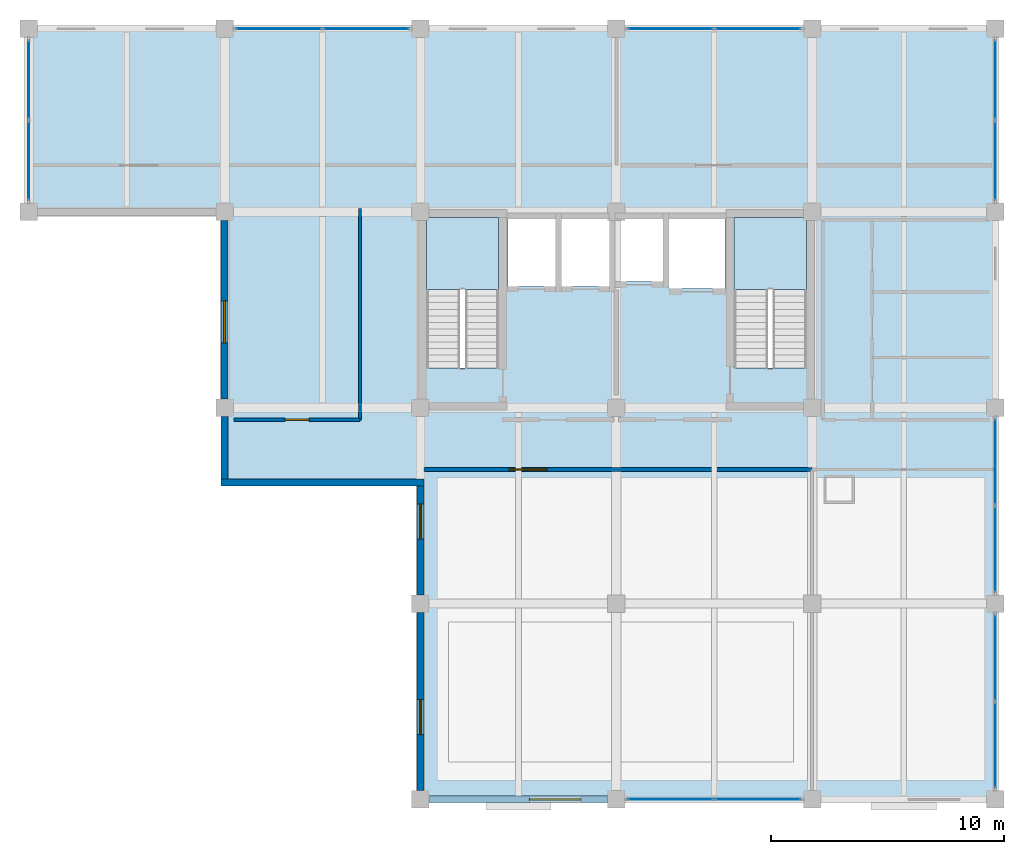
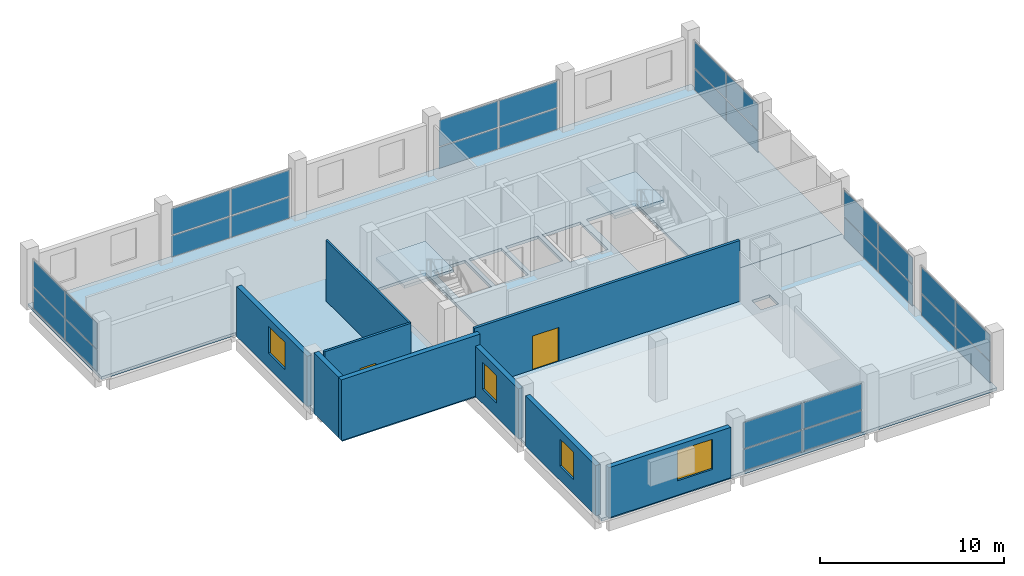
# One storey, part 6 of 9: 28 plates, 9 walls, 4 slabs, 4 windows, 2 doors, 6 openings, 9 elements without a shape of their own.
"""IFC4 building model written with IfcOpenShell, lengths in metres."""

from ifc_helpers import new_model, si_unit, direction, frame, frame_2d, origin, origin_2d, place, context, subcontext, project, spatial, polyline, rectangle, outline, extrude, material, layer, layer_set, type_object, element, fill, aggregate, save


model = new_model("IFC4")

# Units and contexts
model_context = context("Model", 3, precision=1e-05, world=origin(), true_north=direction((0.0, 1.0)))
body_context = subcontext(model_context, "Body", "Model", "MODEL_VIEW")
ifc_project = project(units=[si_unit("LENGTHUNIT", "METRE"), si_unit("AREAUNIT", "SQUARE_METRE"), si_unit("VOLUMEUNIT", "CUBIC_METRE"), si_unit("PLANEANGLEUNIT", "RADIAN"), si_unit("MASSUNIT", "GRAM", prefix="KILO")], contexts=[model_context])

# Site, building, storey
site_placement = place(None, origin())
site = spatial("IfcSite", under=ifc_project, at=site_placement, CompositionType="ELEMENT")
building_placement = place(site_placement, origin())
building = spatial("IfcBuilding", under=site, at=building_placement, Name="Brinegate Botanical Conservatory", CompositionType="ELEMENT")
storey_placement = place(building_placement, frame((0.0, 0.0, 48.60009765625)))
storey = spatial("IfcBuildingStorey", under=building, at=storey_placement, Name="L12", CompositionType="ELEMENT", Elevation=48.60009765625)

# Curtain wall, plates
ifc_material_1 = material(Name="Thermally broken anodised aluminium AW-6063-T6", Category="aluminium")
curtain_wall_type = type_object("IfcCurtainWallType", Name="CW_CW-TW1", PredefinedType="USERDEFINED", material=ifc_material_1)
curtain_wall_1_placement = place(storey_placement, origin())
curtain_wall_1 = element("IfcCurtainWall", 1, at=curtain_wall_1_placement, inside=storey, type_object=curtain_wall_type, Name="Research lab north curtain wall L12.2", ObjectType="FACTORY CURTAIN WALL", PredefinedType="USERDEFINED")
ifc_material_2 = material(Name="Double-silver Low-E laminated safety glass", Category="glass")
ifc_layer_1 = layer(ifc_material_2, 0.035888671875, Name="Double-silver Low-E laminated safety glass", Category="glass")
ifc_layer_set_1 = layer_set([ifc_layer_1], Name="Double-silver Low-E laminated safety glass")
plate_type = type_object("IfcPlateType", Name="Plate_PN-36", PredefinedType="CURTAIN_PANEL", material=ifc_layer_set_1)
plate_1_placement = place(storey_placement, frame((132.72509765625, 111.449951171875, 0.06982421875), z_axis=(0.0, 0.0, 1.0), x_axis=(1.0, 0.0, 0.0)))
plate_1 = element("IfcPlate", 2, at=plate_1_placement, type_object=plate_type, Name="CW-TW1 panel 1.1", PredefinedType="CURTAIN_PANEL", context=body_context, shape_type="SweptSolid", body=[
    extrude(rectangle(XDim=3.679931640625, YDim=0.035888671875, at=origin_2d()), origin(), (0.0, 0.0, 1.0), 1.39404296875),
])
plate_2_placement = place(storey_placement, frame((132.72509765625, 111.449951171875, 1.533935546875), z_axis=(0.0, 0.0, 1.0), x_axis=(1.0, 0.0, 0.0)))
plate_2 = element("IfcPlate", 3, at=plate_2_placement, type_object=plate_type, Name="CW-TW1 panel 1.2", PredefinedType="CURTAIN_PANEL", context=body_context, shape_type="SweptSolid", body=[
    extrude(rectangle(XDim=3.679931640625, YDim=0.035888671875, at=origin_2d()), origin(), (0.0, 0.0, 1.0), 1.72607421875),
])
plate_3_placement = place(storey_placement, frame((136.47509765625, 111.449951171875, 0.06982421875), z_axis=(0.0, 0.0, 1.0), x_axis=(1.0, 0.0, 0.0)))
plate_3 = element("IfcPlate", 4, at=plate_3_placement, type_object=plate_type, Name="CW-TW1 panel 2.1", PredefinedType="CURTAIN_PANEL", context=body_context, shape_type="SweptSolid", body=[
    extrude(rectangle(XDim=3.679931640625, YDim=0.035888671875, at=origin_2d()), origin(), (0.0, 0.0, 1.0), 1.39404296875),
])
plate_4_placement = place(storey_placement, frame((136.47509765625, 111.449951171875, 1.533935546875), z_axis=(0.0, 0.0, 1.0), x_axis=(1.0, 0.0, 0.0)))
plate_4 = element("IfcPlate", 5, at=plate_4_placement, type_object=plate_type, Name="CW-TW1 panel 2.2", PredefinedType="CURTAIN_PANEL", context=body_context, shape_type="SweptSolid", body=[
    extrude(rectangle(XDim=3.679931640625, YDim=0.035888671875, at=origin_2d()), origin(), (0.0, 0.0, 1.0), 1.72607421875),
])
aggregate(curtain_wall_1, [plate_1, plate_2, plate_3, plate_4])

curtain_wall_2_placement = place(storey_placement, origin())
curtain_wall_2 = element("IfcCurtainWall", 6, at=curtain_wall_2_placement, inside=storey, type_object=curtain_wall_type, Name="Research lab north curtain wall L12.4", ObjectType="FACTORY CURTAIN WALL", PredefinedType="USERDEFINED")
plate_5_placement = place(storey_placement, frame((149.52490234375, 111.449951171875, 0.06982421875), z_axis=(0.0, 0.0, 1.0), x_axis=(1.0, 0.0, 0.0)))
plate_5 = element("IfcPlate", 7, at=plate_5_placement, type_object=plate_type, Name="CW-TW1 panel 1.1", PredefinedType="CURTAIN_PANEL", context=body_context, shape_type="SweptSolid", body=[
    extrude(rectangle(XDim=3.679931640625, YDim=0.035888671875, at=origin_2d()), origin(), (0.0, 0.0, 1.0), 1.39404296875),
])
plate_6_placement = place(storey_placement, frame((149.52490234375, 111.449951171875, 1.533935546875), z_axis=(0.0, 0.0, 1.0), x_axis=(1.0, 0.0, 0.0)))
plate_6 = element("IfcPlate", 8, at=plate_6_placement, type_object=plate_type, Name="CW-TW1 panel 1.2", PredefinedType="CURTAIN_PANEL", context=body_context, shape_type="SweptSolid", body=[
    extrude(rectangle(XDim=3.679931640625, YDim=0.035888671875, at=origin_2d()), origin(), (0.0, 0.0, 1.0), 1.72607421875),
])
plate_7_placement = place(storey_placement, frame((153.27490234375, 111.449951171875, 0.06982421875), z_axis=(0.0, 0.0, 1.0), x_axis=(1.0, 0.0, 0.0)))
plate_7 = element("IfcPlate", 9, at=plate_7_placement, type_object=plate_type, Name="CW-TW1 panel 2.1", PredefinedType="CURTAIN_PANEL", context=body_context, shape_type="SweptSolid", body=[
    extrude(rectangle(XDim=3.679931640625, YDim=0.035888671875, at=origin_2d()), origin(), (0.0, 0.0, 1.0), 1.39404296875),
])
plate_8_placement = place(storey_placement, frame((153.27490234375, 111.449951171875, 1.533935546875), z_axis=(0.0, 0.0, 1.0), x_axis=(1.0, 0.0, 0.0)))
plate_8 = element("IfcPlate", 10, at=plate_8_placement, type_object=plate_type, Name="CW-TW1 panel 2.2", PredefinedType="CURTAIN_PANEL", context=body_context, shape_type="SweptSolid", body=[
    extrude(rectangle(XDim=3.679931640625, YDim=0.035888671875, at=origin_2d()), origin(), (0.0, 0.0, 1.0), 1.72607421875),
])
aggregate(curtain_wall_2, [plate_5, plate_6, plate_7, plate_8])

curtain_wall_3_placement = place(storey_placement, origin())
curtain_wall_3 = element("IfcCurtainWall", 11, at=curtain_wall_3_placement, inside=storey, type_object=curtain_wall_type, Name="Tower south curtain wall L12.2", ObjectType="FACTORY CURTAIN WALL", PredefinedType="USERDEFINED")
plate_9_placement = place(storey_placement, frame((153.27490234375, 78.39990234375, 0.06982421875), z_axis=(0.0, 0.0, 1.0), x_axis=(-1.0, 0.0, 0.0)))
plate_9 = element("IfcPlate", 12, at=plate_9_placement, type_object=plate_type, Name="CW-TW1 panel 1.1", PredefinedType="CURTAIN_PANEL", context=body_context, shape_type="SweptSolid", body=[
    extrude(rectangle(XDim=3.679931640625, YDim=0.035888671875, at=origin_2d()), origin(), (0.0, 0.0, 1.0), 1.39404296875),
])
plate_10_placement = place(storey_placement, frame((153.27490234375, 78.39990234375, 1.533935546875), z_axis=(0.0, 0.0, 1.0), x_axis=(-1.0, 0.0, 0.0)))
plate_10 = element("IfcPlate", 13, at=plate_10_placement, type_object=plate_type, Name="CW-TW1 panel 1.2", PredefinedType="CURTAIN_PANEL", context=body_context, shape_type="SweptSolid", body=[
    extrude(rectangle(XDim=3.679931640625, YDim=0.035888671875, at=origin_2d()), origin(), (0.0, 0.0, 1.0), 1.72607421875),
])
plate_11_placement = place(storey_placement, frame((149.52490234375, 78.39990234375, 0.06982421875), z_axis=(0.0, 0.0, 1.0), x_axis=(-1.0, 0.0, 0.0)))
plate_11 = element("IfcPlate", 14, at=plate_11_placement, type_object=plate_type, Name="CW-TW1 panel 2.1", PredefinedType="CURTAIN_PANEL", context=body_context, shape_type="SweptSolid", body=[
    extrude(rectangle(XDim=3.679931640625, YDim=0.035888671875, at=origin_2d()), origin(), (0.0, 0.0, 1.0), 1.39404296875),
])
plate_12_placement = place(storey_placement, frame((149.52490234375, 78.39990234375, 1.533935546875), z_axis=(0.0, 0.0, 1.0), x_axis=(-1.0, 0.0, 0.0)))
plate_12 = element("IfcPlate", 15, at=plate_12_placement, type_object=plate_type, Name="CW-TW1 panel 2.2", PredefinedType="CURTAIN_PANEL", context=body_context, shape_type="SweptSolid", body=[
    extrude(rectangle(XDim=3.679931640625, YDim=0.035888671875, at=origin_2d()), origin(), (0.0, 0.0, 1.0), 1.72607421875),
])
aggregate(curtain_wall_3, [plate_9, plate_10, plate_11, plate_12])

curtain_wall_4_placement = place(storey_placement, origin())
curtain_wall_4 = element("IfcCurtainWall", 16, at=curtain_wall_4_placement, inside=storey, type_object=curtain_wall_type, Name="Tower east curtain wall L12.1", ObjectType="FACTORY CURTAIN WALL", PredefinedType="USERDEFINED")
plate_13_placement = place(storey_placement, frame((163.449951171875, 84.47509765625, 0.06982421875), z_axis=(0.0, 0.0, 1.0), x_axis=(0.0, -1.0, 0.0)))
plate_13 = element("IfcPlate", 17, at=plate_13_placement, type_object=plate_type, Name="CW-TW1 panel 1.1", PredefinedType="CURTAIN_PANEL", context=body_context, shape_type="SweptSolid", body=[
    extrude(rectangle(XDim=3.679931640625, YDim=0.035888671875, at=origin_2d()), origin(), (0.0, 0.0, 1.0), 1.39404296875),
])
plate_14_placement = place(storey_placement, frame((163.449951171875, 84.47509765625, 1.533935546875), z_axis=(0.0, 0.0, 1.0), x_axis=(0.0, -1.0, 0.0)))
plate_14 = element("IfcPlate", 18, at=plate_14_placement, type_object=plate_type, Name="CW-TW1 panel 1.2", PredefinedType="CURTAIN_PANEL", context=body_context, shape_type="SweptSolid", body=[
    extrude(rectangle(XDim=3.679931640625, YDim=0.035888671875, at=origin_2d()), origin(), (0.0, 0.0, 1.0), 1.72607421875),
])
plate_15_placement = place(storey_placement, frame((163.449951171875, 80.72509765625, 0.06982421875), z_axis=(0.0, 0.0, 1.0), x_axis=(0.0, -1.0, 0.0)))
plate_15 = element("IfcPlate", 19, at=plate_15_placement, type_object=plate_type, Name="CW-TW1 panel 2.1", PredefinedType="CURTAIN_PANEL", context=body_context, shape_type="SweptSolid", body=[
    extrude(rectangle(XDim=3.679931640625, YDim=0.035888671875, at=origin_2d()), origin(), (0.0, 0.0, 1.0), 1.39404296875),
])
plate_16_placement = place(storey_placement, frame((163.449951171875, 80.72509765625, 1.533935546875), z_axis=(0.0, 0.0, 1.0), x_axis=(0.0, -1.0, 0.0)))
plate_16 = element("IfcPlate", 20, at=plate_16_placement, type_object=plate_type, Name="CW-TW1 panel 2.2", PredefinedType="CURTAIN_PANEL", context=body_context, shape_type="SweptSolid", body=[
    extrude(rectangle(XDim=3.679931640625, YDim=0.035888671875, at=origin_2d()), origin(), (0.0, 0.0, 1.0), 1.72607421875),
])
aggregate(curtain_wall_4, [plate_13, plate_14, plate_15, plate_16])

curtain_wall_5_placement = place(storey_placement, origin())
curtain_wall_5 = element("IfcCurtainWall", 21, at=curtain_wall_5_placement, inside=storey, type_object=curtain_wall_type, Name="Tower east curtain wall L12.2", ObjectType="FACTORY CURTAIN WALL", PredefinedType="USERDEFINED")
plate_17_placement = place(storey_placement, frame((163.449951171875, 92.875, 0.06982421875), z_axis=(0.0, 0.0, 1.0), x_axis=(0.0, -1.0, 0.0)))
plate_17 = element("IfcPlate", 22, at=plate_17_placement, type_object=plate_type, Name="CW-TW1 panel 1.1", PredefinedType="CURTAIN_PANEL", context=body_context, shape_type="SweptSolid", body=[
    extrude(rectangle(XDim=3.679931640625, YDim=0.035888671875, at=origin_2d()), origin(), (0.0, 0.0, 1.0), 1.39404296875),
])
plate_18_placement = place(storey_placement, frame((163.449951171875, 92.875, 1.533935546875), z_axis=(0.0, 0.0, 1.0), x_axis=(0.0, -1.0, 0.0)))
plate_18 = element("IfcPlate", 23, at=plate_18_placement, type_object=plate_type, Name="CW-TW1 panel 1.2", PredefinedType="CURTAIN_PANEL", context=body_context, shape_type="SweptSolid", body=[
    extrude(rectangle(XDim=3.679931640625, YDim=0.035888671875, at=origin_2d()), origin(), (0.0, 0.0, 1.0), 1.72607421875),
])
plate_19_placement = place(storey_placement, frame((163.449951171875, 89.125, 0.06982421875), z_axis=(0.0, 0.0, 1.0), x_axis=(0.0, -1.0, 0.0)))
plate_19 = element("IfcPlate", 24, at=plate_19_placement, type_object=plate_type, Name="CW-TW1 panel 2.1", PredefinedType="CURTAIN_PANEL", context=body_context, shape_type="SweptSolid", body=[
    extrude(rectangle(XDim=3.679931640625, YDim=0.035888671875, at=origin_2d()), origin(), (0.0, 0.0, 1.0), 1.39404296875),
])
plate_20_placement = place(storey_placement, frame((163.449951171875, 89.125, 1.533935546875), z_axis=(0.0, 0.0, 1.0), x_axis=(0.0, -1.0, 0.0)))
plate_20 = element("IfcPlate", 25, at=plate_20_placement, type_object=plate_type, Name="CW-TW1 panel 2.2", PredefinedType="CURTAIN_PANEL", context=body_context, shape_type="SweptSolid", body=[
    extrude(rectangle(XDim=3.679931640625, YDim=0.035888671875, at=origin_2d()), origin(), (0.0, 0.0, 1.0), 1.72607421875),
])
aggregate(curtain_wall_5, [plate_17, plate_18, plate_19, plate_20])

curtain_wall_6_placement = place(storey_placement, origin())
curtain_wall_6 = element("IfcCurtainWall", 26, at=curtain_wall_6_placement, inside=storey, type_object=curtain_wall_type, Name="Tower east curtain wall L12.4", ObjectType="FACTORY CURTAIN WALL", PredefinedType="USERDEFINED")
plate_21_placement = place(storey_placement, frame((163.449951171875, 109.262451171875, 0.06982421875), z_axis=(0.0, 0.0, 1.0), x_axis=(0.0, -1.0, 0.0)))
plate_21 = element("IfcPlate", 27, at=plate_21_placement, type_object=plate_type, Name="CW-TW1 panel 1.1", PredefinedType="CURTAIN_PANEL", context=body_context, shape_type="SweptSolid", body=[
    extrude(rectangle(XDim=3.405029296875, YDim=0.035888671875, at=origin_2d()), origin(), (0.0, 0.0, 1.0), 1.39404296875),
])
plate_22_placement = place(storey_placement, frame((163.449951171875, 109.262451171875, 1.533935546875), z_axis=(0.0, 0.0, 1.0), x_axis=(0.0, -1.0, 0.0)))
plate_22 = element("IfcPlate", 28, at=plate_22_placement, type_object=plate_type, Name="CW-TW1 panel 1.2", PredefinedType="CURTAIN_PANEL", context=body_context, shape_type="SweptSolid", body=[
    extrude(rectangle(XDim=3.405029296875, YDim=0.035888671875, at=origin_2d()), origin(), (0.0, 0.0, 1.0), 1.72607421875),
])
plate_23_placement = place(storey_placement, frame((163.449951171875, 105.78759765625, 0.06982421875), z_axis=(0.0, 0.0, 1.0), x_axis=(0.0, -1.0, 0.0)))
plate_23 = element("IfcPlate", 29, at=plate_23_placement, type_object=plate_type, Name="CW-TW1 panel 2.1", PredefinedType="CURTAIN_PANEL", context=body_context, shape_type="SweptSolid", body=[
    extrude(rectangle(XDim=3.405029296875, YDim=0.035888671875, at=origin_2d()), origin(), (0.0, 0.0, 1.0), 1.39404296875),
])
plate_24_placement = place(storey_placement, frame((163.449951171875, 105.78759765625, 1.533935546875), z_axis=(0.0, 0.0, 1.0), x_axis=(0.0, -1.0, 0.0)))
plate_24 = element("IfcPlate", 30, at=plate_24_placement, type_object=plate_type, Name="CW-TW1 panel 2.2", PredefinedType="CURTAIN_PANEL", context=body_context, shape_type="SweptSolid", body=[
    extrude(rectangle(XDim=3.405029296875, YDim=0.035888671875, at=origin_2d()), origin(), (0.0, 0.0, 1.0), 1.72607421875),
])
aggregate(curtain_wall_6, [plate_21, plate_22, plate_23, plate_24])

curtain_wall_7_placement = place(storey_placement, origin())
curtain_wall_7 = element("IfcCurtainWall", 31, at=curtain_wall_7_placement, inside=storey, type_object=curtain_wall_type, Name="Tower north-west curtain wall L12", ObjectType="FACTORY CURTAIN WALL", PredefinedType="USERDEFINED")
plate_25_placement = place(storey_placement, frame((122.0, 105.78759765625, 0.06982421875), z_axis=(0.0, 0.0, 1.0), x_axis=(0.0, 1.0, 0.0)))
plate_25 = element("IfcPlate", 32, at=plate_25_placement, type_object=plate_type, Name="CW-TW1 panel 1.1", PredefinedType="CURTAIN_PANEL", context=body_context, shape_type="SweptSolid", body=[
    extrude(rectangle(XDim=3.405029296875, YDim=0.035888671875, at=origin_2d()), origin(), (0.0, 0.0, 1.0), 1.39404296875),
])
plate_26_placement = place(storey_placement, frame((122.0, 105.78759765625, 1.533935546875), z_axis=(0.0, 0.0, 1.0), x_axis=(0.0, 1.0, 0.0)))
plate_26 = element("IfcPlate", 33, at=plate_26_placement, type_object=plate_type, Name="CW-TW1 panel 1.2", PredefinedType="CURTAIN_PANEL", context=body_context, shape_type="SweptSolid", body=[
    extrude(rectangle(XDim=3.405029296875, YDim=0.035888671875, at=origin_2d()), origin(), (0.0, 0.0, 1.0), 1.72607421875),
])
plate_27_placement = place(storey_placement, frame((122.0, 109.262451171875, 0.06982421875), z_axis=(0.0, 0.0, 1.0), x_axis=(0.0, 1.0, 0.0)))
plate_27 = element("IfcPlate", 34, at=plate_27_placement, type_object=plate_type, Name="CW-TW1 panel 2.1", PredefinedType="CURTAIN_PANEL", context=body_context, shape_type="SweptSolid", body=[
    extrude(rectangle(XDim=3.405029296875, YDim=0.035888671875, at=origin_2d()), origin(), (0.0, 0.0, 1.0), 1.39404296875),
])
plate_28_placement = place(storey_placement, frame((122.0, 109.262451171875, 1.533935546875), z_axis=(0.0, 0.0, 1.0), x_axis=(0.0, 1.0, 0.0)))
plate_28 = element("IfcPlate", 35, at=plate_28_placement, type_object=plate_type, Name="CW-TW1 panel 2.2", PredefinedType="CURTAIN_PANEL", context=body_context, shape_type="SweptSolid", body=[
    extrude(rectangle(XDim=3.405029296875, YDim=0.035888671875, at=origin_2d()), origin(), (0.0, 0.0, 1.0), 1.72607421875),
])
aggregate(curtain_wall_7, [plate_25, plate_26, plate_27, plate_28])

# Slabs
ifc_material_3 = material(Name="Concrete C40/50", Category="concrete")
ifc_layer_2 = layer(ifc_material_3, 0.18994140625, Name="Concrete C40/50", Category="concrete")
ifc_layer_set_2 = layer_set([ifc_layer_2], Name="Concrete C40/50")
slab_type_1 = type_object("IfcSlabType", Name="Slab_SL-FL190", PredefinedType="FLOOR", material=ifc_layer_set_2)
slab_1_placement = place(storey_placement, frame((0.0, 0.0, -0.190185546875)))
element("IfcSlab", 36, at=slab_1_placement, inside=storey, type_object=slab_type_1, Name="Research Tower L12 north structural floor slab", PredefinedType="FLOOR", context=body_context, shape_type="SweptSolid", body=[
    extrude(outline(polyline([(130.39990234375, 103.60009765625), (122.0, 103.60009765625), (122.0, 111.60009765625), (163.60009765625, 111.60009765625), (163.60009765625, 95.199951171875), (130.39990234375, 95.199951171875), (130.39990234375, 103.60009765625)]), holes=[polyline([(142.14990234375, 96.89990234375), (142.14990234375, 103.35009765625), (139.050048828125, 103.35009765625), (139.050048828125, 96.89990234375), (142.14990234375, 96.89990234375)]), polyline([(155.35009765625, 96.89990234375), (155.35009765625, 103.35009765625), (152.25, 103.35009765625), (152.25, 96.89990234375), (155.35009765625, 96.89990234375)]), polyline([(142.550048828125, 100.39990234375), (144.60009765625, 100.39990234375), (144.60009765625, 103.300048828125), (142.550048828125, 103.300048828125), (142.550048828125, 100.39990234375)]), polyline([(144.85009765625, 100.39990234375), (146.89990234375, 100.39990234375), (146.89990234375, 103.300048828125), (144.85009765625, 103.300048828125), (144.85009765625, 100.39990234375)]), polyline([(147.14990234375, 100.60009765625), (149.199951171875, 100.60009765625), (149.199951171875, 103.300048828125), (147.14990234375, 103.300048828125), (147.14990234375, 100.60009765625)]), polyline([(149.449951171875, 100.300048828125), (151.85009765625, 100.300048828125), (151.85009765625, 103.300048828125), (149.449951171875, 103.300048828125), (149.449951171875, 100.300048828125)])]), origin(), (0.0, 0.0, 1.0), 0.190185546875),
])
slab_2_placement = place(storey_placement, frame((0.0, 0.0, -0.190185546875)))
element("IfcSlab", 37, at=slab_2_placement, inside=storey, type_object=slab_type_1, Name="Research Tower L12 south structural floor slab", PredefinedType="FLOOR", context=body_context, shape_type="SweptSolid", body=[
    extrude(outline(polyline([(163.60009765625, 78.39990234375), (138.800048828125, 78.39990234375), (138.800048828125, 92.0), (130.39990234375, 92.0), (130.39990234375, 95.199951171875), (163.60009765625, 95.199951171875), (163.60009765625, 78.39990234375)]), holes=[polyline([(156.199951171875, 91.199951171875), (157.300048828125, 91.199951171875), (157.300048828125, 92.199951171875), (156.199951171875, 92.199951171875), (156.199951171875, 91.199951171875)])]), origin(), (0.0, 0.0, 1.0), 0.190185546875),
])

# Stair, slab
stair_type = type_object("IfcStairType", Name="Stair_HT-4200", PredefinedType="HALF_TURN_STAIR", material=ifc_material_3)
stair_1_placement = place(storey_placement, origin())
stair_1 = element("IfcStair", 38, at=stair_1_placement, inside=storey, type_object=stair_type, Name="L12 Tower West Smoke-Proof Stair ST1", PredefinedType="HALF_TURN_STAIR")
ifc_layer_3 = layer(ifc_material_3, 0.199951171875, Name="Concrete C40/50", Category="concrete")
ifc_layer_set_3 = layer_set([ifc_layer_3], Name="Concrete C40/50")
slab_type_2 = type_object("IfcSlabType", Name="Slab_SL-LD200", PredefinedType="LANDING", material=ifc_layer_set_3)
slab_3_placement = place(storey_placement, frame((0.0, 0.0, 1.89990234375)))
slab_3 = element("IfcSlab", 39, at=slab_3_placement, type_object=slab_type_2, Name="ST1 landing 1", PredefinedType="LANDING", context=body_context, shape_type="SweptSolid", body=[
    extrude(outline(polyline([(142.14990234375, 100.260009765625), (142.14990234375, 103.35009765625), (139.050048828125, 103.35009765625), (139.050048828125, 100.260009765625), (142.14990234375, 100.260009765625)])), origin(), (0.0, 0.0, 1.0), 0.199951171875),
])
aggregate(stair_1, [slab_3])

stair_2_placement = place(storey_placement, origin())
stair_2 = element("IfcStair", 40, at=stair_2_placement, inside=storey, type_object=stair_type, Name="L12 Tower East Smoke-Proof Stair ST2", PredefinedType="HALF_TURN_STAIR")
slab_4_placement = place(storey_placement, frame((0.0, 0.0, 1.89990234375)))
slab_4 = element("IfcSlab", 41, at=slab_4_placement, type_object=slab_type_2, Name="ST2 landing 1", PredefinedType="LANDING", context=body_context, shape_type="SweptSolid", body=[
    extrude(outline(polyline([(155.35009765625, 100.260009765625), (155.35009765625, 103.35009765625), (152.25, 103.35009765625), (152.25, 100.260009765625), (155.35009765625, 100.260009765625)])), origin(), (0.0, 0.0, 1.0), 0.199951171875),
])
aggregate(stair_2, [slab_4])

# Wall, opening, window
ifc_material_4 = material(Name="Insulated Minnan red clay brick masonry", Category="masonry")
ifc_layer_4 = layer(ifc_material_4, 0.300048828125, Name="Insulated Minnan red clay brick masonry", Category="masonry")
ifc_layer_set_4 = layer_set([ifc_layer_4], Name="Insulated Minnan red clay brick masonry")
wall_type_1 = type_object("IfcWallType", Name="Wall_EW-300B", PredefinedType="STANDARD", material=ifc_layer_set_4)
wall_1_placement = place(storey_placement, frame((146.824951171875, 78.39990234375, 0.0), z_axis=(0.0, 0.0, 1.0), x_axis=(-1.0, 0.0, 0.0)))
wall_1 = element("IfcWall", 42, at=wall_1_placement, inside=storey, type_object=wall_type_1, Name="Tower south facade wall L12.1", PredefinedType="STANDARD", context=body_context, shape_type="SweptSolid", body=[
    extrude(rectangle(XDim=7.64990234375, YDim=0.300048828125, at=frame_2d((3.824951171875, 0.0))), origin(), (0.0, 0.0, 1.0), 3.329833984375),
])
opening_1_placement = place(wall_1_placement, frame((1.14990234375, 0.0, 0.949951171875)))
opening_1 = element("IfcOpeningElement", 43, at=opening_1_placement, cuts=wall_1, Name="Opening WN-13", PredefinedType="OPENING", context=body_context, shape_type="SweptSolid", body=[
    extrude(rectangle(XDim=2.199951171875, YDim=2.0, at=frame_2d((1.10009765625, 1.0))), frame((0.0, 0.159912109375, 0.0), z_axis=(0.0, -1.0, 0.0), x_axis=(1.0, 0.0, 0.0)), (0.0, 0.0, 1.0), 0.320068359375),
])
ifc_material_5 = material(Name="Thermally broken aluminium-framed Low-E glass", Category="aluminium")
window_type_1 = type_object("IfcWindowType", Name="Win_WN-13", PartitioningType="DOUBLE_PANEL_VERTICAL", PredefinedType="WINDOW", material=ifc_material_5)
window_1_placement = place(opening_1_placement, origin())
window_1 = element("IfcWindow", 44, at=window_1_placement, inside=storey, type_object=window_type_1, Name="Tower south window L12.1", OverallHeight=2.0, OverallWidth=2.199951171875, PartitioningType="DOUBLE_PANEL_VERTICAL", PredefinedType="WINDOW", context=body_context, shape_type="SweptSolid", body=[
    extrude(rectangle(XDim=2.199951171875, YDim=2.0, at=frame_2d((1.10009765625, 1.0))), frame((0.0, 0.030029296875, 0.0), z_axis=(0.0, -1.0, 0.0), x_axis=(1.0, 0.0, 0.0)), (0.0, 0.0, 1.0), 0.06005859375),
])
fill(opening_1, window_1)

# Wall
wall_2_placement = place(storey_placement, frame((130.39990234375, 92.14990234375, 0.0), z_axis=(0.0, 0.0, 1.0), x_axis=(0.0, 1.0, 0.0)))
element("IfcWall", 45, at=wall_2_placement, inside=storey, type_object=wall_type_1, Name="Tower west corridor end wall L12", PredefinedType="STANDARD", context=body_context, shape_type="SweptSolid", body=[
    extrude(rectangle(XDim=2.675048828125, YDim=0.300048828125, at=frame_2d((1.33740234375, 0.0))), origin(), (0.0, 0.0, 1.0), 4.02978515625),
])

# Wall, opening, window
wall_3_placement = place(storey_placement, frame((138.800048828125, 78.77490234375, 0.0), z_axis=(0.0, 0.0, 1.0), x_axis=(0.0, 1.0, 0.0)))
wall_3 = element("IfcWall", 46, at=wall_3_placement, inside=storey, type_object=wall_type_1, Name="Tower west wall L12.S1", PredefinedType="STANDARD", context=body_context, shape_type="SweptSolid", body=[
    extrude(rectangle(XDim=7.650146484375, YDim=0.300048828125, at=frame_2d((3.8251953125, 0.0))), origin(), (0.0, 0.0, 1.0), 3.329833984375),
])
opening_2_placement = place(wall_3_placement, frame((2.39990234375, 0.0, 0.949951171875)))
opening_2 = element("IfcOpeningElement", 47, at=opening_2_placement, cuts=wall_3, Name="Opening WN-04", PredefinedType="OPENING", context=body_context, shape_type="SweptSolid", body=[
    extrude(rectangle(XDim=1.5, YDim=1.800048828125, at=frame_2d((0.75, 0.89990234375))), frame((0.0, 0.159912109375, 0.0), z_axis=(0.0, -1.0, 0.0), x_axis=(1.0, 0.0, 0.0)), (0.0, 0.0, 1.0), 0.320068359375),
])
window_type_2 = type_object("IfcWindowType", Name="Win_WN-04", PartitioningType="DOUBLE_PANEL_VERTICAL", PredefinedType="WINDOW", material=ifc_material_5)
window_2_placement = place(opening_2_placement, origin())
window_2 = element("IfcWindow", 48, at=window_2_placement, inside=storey, type_object=window_type_2, Name="Tower west window L12.S1", OverallHeight=1.800048828125, OverallWidth=1.5, PartitioningType="DOUBLE_PANEL_VERTICAL", PredefinedType="WINDOW", context=body_context, shape_type="SweptSolid", body=[
    extrude(rectangle(XDim=1.5, YDim=1.800048828125, at=frame_2d((0.75, 0.89990234375))), frame((0.0, 0.030029296875, 0.0), z_axis=(0.0, -1.0, 0.0), x_axis=(1.0, 0.0, 0.0)), (0.0, 0.0, 1.0), 0.06005859375),
])
fill(opening_2, window_2)

wall_4_placement = place(storey_placement, frame((138.800048828125, 87.175048828125, 0.0), z_axis=(0.0, 0.0, 1.0), x_axis=(0.0, 1.0, 0.0)))
wall_4 = element("IfcWall", 49, at=wall_4_placement, inside=storey, type_object=wall_type_1, Name="Tower west wall L12.S2", PredefinedType="STANDARD", context=body_context, shape_type="SweptSolid", body=[
    extrude(rectangle(XDim=4.675048828125, YDim=0.300048828125, at=frame_2d((2.33740234375, 0.0))), origin(), (0.0, 0.0, 1.0), 3.329833984375),
])
opening_3_placement = place(wall_4_placement, frame((2.39990234375, 0.0, 0.949951171875)))
opening_3 = element("IfcOpeningElement", 50, at=opening_3_placement, cuts=wall_4, Name="Opening WN-04", PredefinedType="OPENING", context=body_context, shape_type="SweptSolid", body=[
    extrude(rectangle(XDim=1.5, YDim=1.800048828125, at=frame_2d((0.75, 0.89990234375))), frame((0.0, 0.159912109375, 0.0), z_axis=(0.0, -1.0, 0.0), x_axis=(1.0, 0.0, 0.0)), (0.0, 0.0, 1.0), 0.320068359375),
])
window_3_placement = place(opening_3_placement, origin())
window_3 = element("IfcWindow", 51, at=window_3_placement, inside=storey, type_object=window_type_2, Name="Tower west window L12.S2", OverallHeight=1.800048828125, OverallWidth=1.5, PartitioningType="DOUBLE_PANEL_VERTICAL", PredefinedType="WINDOW", context=body_context, shape_type="SweptSolid", body=[
    extrude(rectangle(XDim=1.5, YDim=1.800048828125, at=frame_2d((0.75, 0.89990234375))), frame((0.0, 0.030029296875, 0.0), z_axis=(0.0, -1.0, 0.0), x_axis=(1.0, 0.0, 0.0)), (0.0, 0.0, 1.0), 0.06005859375),
])
fill(opening_3, window_3)

wall_5_placement = place(storey_placement, frame((130.39990234375, 95.574951171875, 0.0), z_axis=(0.0, 0.0, 1.0), x_axis=(0.0, 1.0, 0.0)))
wall_5 = element("IfcWall", 52, at=wall_5_placement, inside=storey, type_object=wall_type_1, Name="Tower mid-west wall L12", PredefinedType="STANDARD", context=body_context, shape_type="SweptSolid", body=[
    extrude(rectangle(XDim=7.650146484375, YDim=0.300048828125, at=frame_2d((3.8251953125, 0.0))), origin(), (0.0, 0.0, 1.0), 3.329833984375),
])
opening_4_placement = place(wall_5_placement, frame((2.39990234375, 0.0, 1.0)))
opening_4 = element("IfcOpeningElement", 53, at=opening_4_placement, cuts=wall_5, Name="Opening WN-05", PredefinedType="OPENING", context=body_context, shape_type="SweptSolid", body=[
    extrude(rectangle(XDim=1.800048828125, YDim=1.800048828125, at=frame_2d((0.89990234375, 0.89990234375))), frame((0.0, 0.159912109375, 0.0), z_axis=(0.0, -1.0, 0.0), x_axis=(1.0, 0.0, 0.0)), (0.0, 0.0, 1.0), 0.320068359375),
])
window_type_3 = type_object("IfcWindowType", Name="Win_WN-05", PartitioningType="DOUBLE_PANEL_VERTICAL", PredefinedType="WINDOW", material=ifc_material_5)
window_4_placement = place(opening_4_placement, origin())
window_4 = element("IfcWindow", 54, at=window_4_placement, inside=storey, type_object=window_type_3, Name="Tower mid-west window L12", OverallHeight=1.800048828125, OverallWidth=1.800048828125, PartitioningType="DOUBLE_PANEL_VERTICAL", PredefinedType="WINDOW", context=body_context, shape_type="SweptSolid", body=[
    extrude(rectangle(XDim=1.800048828125, YDim=1.800048828125, at=frame_2d((0.89990234375, 0.89990234375))), frame((0.0, 0.030029296875, 0.0), z_axis=(0.0, -1.0, 0.0), x_axis=(1.0, 0.0, 0.0)), (0.0, 0.0, 1.0), 0.06005859375),
])
fill(opening_4, window_4)

# Walls
wall_6_placement = place(storey_placement, frame((138.949951171875, 92.0, 0.0), z_axis=(0.0, 0.0, 1.0), x_axis=(-1.0, 0.0, 0.0)))
element("IfcWall", 55, at=wall_6_placement, inside=storey, type_object=wall_type_1, Name="Tower loggia setback return wall L12", PredefinedType="STANDARD", context=body_context, shape_type="SweptSolid", body=[
    extrude(rectangle(XDim=8.699951171875, YDim=0.300048828125, at=frame_2d((4.35009765625, 0.0))), origin(), (0.0, 0.0, 1.0), 4.02978515625),
])
ifc_material_6 = material(Name="Gypsum-clad steel-stud partition", Category="steel")
ifc_layer_5 = layer(ifc_material_6, 0.1201171875, Name="Gypsum-clad steel-stud partition", Category="steel")
ifc_layer_set_5 = layer_set([ifc_layer_5], Name="Gypsum-clad steel-stud partition")
wall_type_2 = type_object("IfcWallType", Name="Wall_PW-120", PredefinedType="PARTITIONING", material=ifc_layer_set_5)
wall_7_placement = place(storey_placement, frame((136.199951171875, 94.679931640625, 0.0), z_axis=(0.0, 0.0, 1.0), x_axis=(0.0, 1.0, 0.0)))
element("IfcWall", 56, at=wall_7_placement, inside=storey, type_object=wall_type_2, Name="Interior partition P-L12-XCORR-W", PredefinedType="PARTITIONING", context=body_context, shape_type="SweptSolid", body=[
    extrude(rectangle(XDim=9.070068359375, YDim=0.1201171875, at=frame_2d((4.53515625, 0.0))), origin(), (0.0, 0.0, 1.0), 4.02978515625),
])

# Wall, opening, door
ifc_material_7 = material(Name="Gypsum-clad acoustic steel-stud partition", Category="steel")
ifc_layer_6 = layer(ifc_material_7, 0.14501953125, Name="Gypsum-clad acoustic steel-stud partition", Category="steel")
ifc_layer_set_6 = layer_set([ifc_layer_6], Name="Gypsum-clad acoustic steel-stud partition")
wall_type_3 = type_object("IfcWallType", Name="Wall_PW-150", PredefinedType="PARTITIONING", material=ifc_layer_set_6)
wall_8_placement = place(storey_placement, frame((130.800048828125, 94.679931640625, 0.0), z_axis=(0.0, 0.0, 1.0), x_axis=(1.0, 0.0, 0.0)))
wall_8 = element("IfcWall", 57, at=wall_8_placement, inside=storey, type_object=wall_type_3, Name="Interior partition P-L12-MIDW-S", PredefinedType="PARTITIONING", context=body_context, shape_type="SweptSolid", body=[
    extrude(rectangle(XDim=5.39990234375, YDim=0.14501953125, at=frame_2d((2.699951171875, 0.0))), origin(), (0.0, 0.0, 1.0), 4.02978515625),
])
opening_5_placement = place(wall_8_placement, frame((2.199951171875, 0.0, 0.0)))
opening_5 = element("IfcOpeningElement", 58, at=opening_5_placement, cuts=wall_8, Name="Opening DR-02", PredefinedType="OPENING", context=body_context, shape_type="SweptSolid", body=[
    extrude(rectangle(XDim=1.02001953125, YDim=2.14990234375, at=frame_2d((0.510009765625, 1.074951171875))), frame((0.0, 0.08251953125, 0.0), z_axis=(0.0, -1.0, 0.0), x_axis=(1.0, 0.0, 0.0)), (0.0, 0.0, 1.0), 0.1650390625),
])
ifc_material_8 = material(Name="Phenolic-faced laboratory timber leaf", Category="wood")
door_type_1 = type_object("IfcDoorType", Name="Door_DR-02", OperationType="NOTDEFINED", PredefinedType="DOOR", material=ifc_material_8)
door_1_placement = place(opening_5_placement, origin())
door_1 = element("IfcDoor", 59, at=door_1_placement, inside=storey, type_object=door_type_1, Name="DR-P-L12-MIDW-S-1", OperationType="SINGLE_SWING_RIGHT", OverallHeight=2.14990234375, OverallWidth=1.02001953125, PredefinedType="DOOR", context=body_context, shape_type="SweptSolid", body=[
    extrude(rectangle(XDim=1.02001953125, YDim=2.14990234375, at=frame_2d((0.510009765625, 1.074951171875))), frame((0.0, 0.02490234375, 0.0), z_axis=(0.0, -1.0, 0.0), x_axis=(1.0, 0.0, 0.0)), (0.0, 0.0, 1.0), 0.050048828125),
])
fill(opening_5, door_1)

ifc_layer_7 = layer(ifc_material_7, 0.1650390625, Name="Gypsum-clad acoustic steel-stud partition", Category="steel")
ifc_layer_set_7 = layer_set([ifc_layer_7], Name="Gypsum-clad acoustic steel-stud partition")
wall_type_4 = type_object("IfcWallType", Name="Wall_PW-165", PredefinedType="PARTITIONING", material=ifc_layer_set_7)
wall_9_placement = place(storey_placement, frame((138.949951171875, 92.550048828125, 0.0), z_axis=(0.0, 0.0, 1.0), x_axis=(1.0, 0.0, 0.0)))
wall_9 = element("IfcWall", 60, at=wall_9_placement, inside=storey, type_object=wall_type_4, Name="Interior partition P-L12-SB-S1", PredefinedType="PARTITIONING", context=body_context, shape_type="SweptSolid", body=[
    extrude(rectangle(XDim=16.650146484375, YDim=0.1650390625, at=frame_2d((8.3251953125, 0.0))), origin(), (0.0, 0.0, 1.0), 4.02978515625),
])
opening_6_placement = place(wall_9_placement, frame((3.64990234375, 0.0, 0.0)))
opening_6 = element("IfcOpeningElement", 61, at=opening_6_placement, cuts=wall_9, Name="Opening DR-11", PredefinedType="OPENING", context=body_context, shape_type="SweptSolid", body=[
    extrude(rectangle(XDim=1.639892578125, YDim=2.239990234375, at=frame_2d((0.81982421875, 1.1201171875))), frame((0.0, 0.092529296875, 0.0), z_axis=(0.0, -1.0, 0.0), x_axis=(1.0, 0.0, 0.0)), (0.0, 0.0, 1.0), 0.18505859375),
])
ifc_material_9 = material(Name="Hardwood acoustic double door", Category="wood")
door_type_2 = type_object("IfcDoorType", Name="Door_DR-11", OperationType="NOTDEFINED", PredefinedType="DOOR", material=ifc_material_9)
door_2_placement = place(opening_6_placement, origin())
door_2 = element("IfcDoor", 62, at=door_2_placement, inside=storey, type_object=door_type_2, Name="DR-P-L12-SB-S1-1", OperationType="SINGLE_SWING_RIGHT", OverallHeight=2.239990234375, OverallWidth=1.639892578125, PredefinedType="DOOR", context=body_context, shape_type="SweptSolid", body=[
    extrude(rectangle(XDim=1.639892578125, YDim=2.239990234375, at=frame_2d((0.81982421875, 1.1201171875))), frame((0.0, 0.02490234375, 0.0), z_axis=(0.0, -1.0, 0.0), x_axis=(1.0, 0.0, 0.0)), (0.0, 0.0, 1.0), 0.050048828125),
])
fill(opening_6, door_2)

save(model, "model.ifc")
